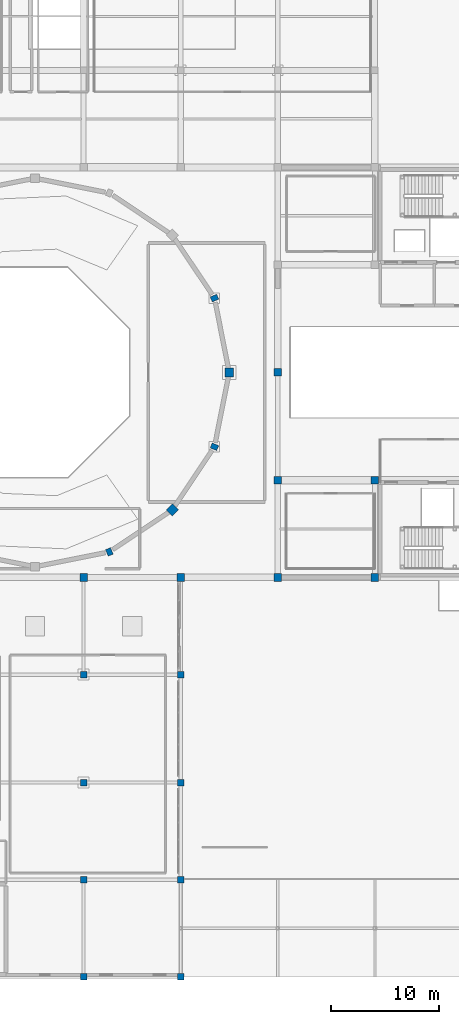
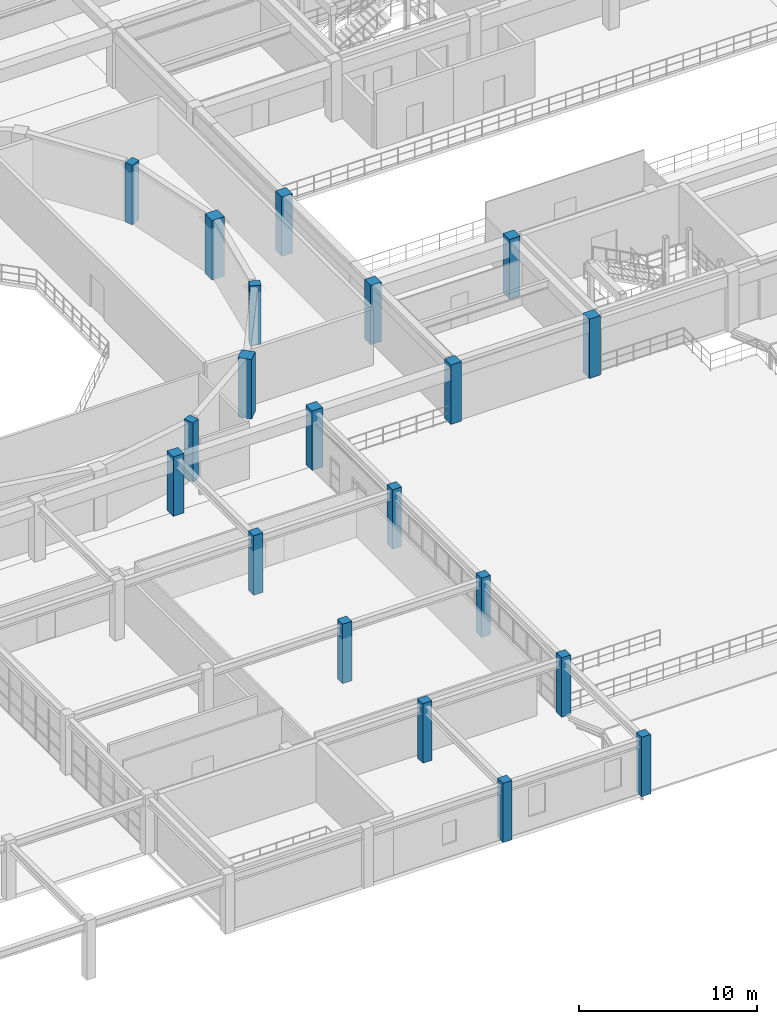
# One storey, part 3 of 110: 20 columns.
"""IFC4 building model written with IfcOpenShell, lengths in metres."""

import ifcopenshell
import ifcopenshell.guid

model = None  # the IFC model being written
_history = None  # IfcOwnerHistory: only IFC2X3 demands one
_inside = {}  # id of a spatial element -> (the spatial element, [elements in it])
_under = {}  # id of a project, library or spatial element -> (it, [spatial elements below it])
_declared = {}  # id of a project -> (the project, [libraries it declares])
_typed = {}  # id of a type object -> (the type object, [elements of that type])
_made_of = {}  # id of a material, layer set ... -> (it, [elements and type objects made of it])


def new_model(schema):
    """Start an empty IFC model of exactly this schema.

    Asked for "IFC4X3", IfcOpenShell would pick the latest addendum, in which some entities
    have other attributes; the version numbers below select the first issue.
    IFC2X3 requires an IfcOwnerHistory on every rooted entity: one is made here for all.
    """
    global model, _history
    if schema == "IFC4X3":
        model = ifcopenshell.file(schema_version=(4, 3, 0, 0))
    else:
        model = ifcopenshell.file(schema=schema)
    _inside.clear()
    _under.clear()
    _declared.clear()
    _typed.clear()
    _made_of.clear()
    _history = None
    if model.schema == "IFC2X3":
        org = make("IfcOrganization", Name="unknown")
        user = make(
            "IfcPersonAndOrganization",
            ThePerson=make("IfcPerson", FamilyName="unknown"),
            TheOrganization=org,
        )
        app = make(
            "IfcApplication",
            ApplicationDeveloper=org,
            Version="unknown",
            ApplicationFullName="unknown",
            ApplicationIdentifier="unknown",
        )
        _history = make(
            "IfcOwnerHistory",
            OwningUser=user,
            OwningApplication=app,
            ChangeAction="ADDED",
            CreationDate=0,
        )
    return model


def make(cls, **values):
    """One entity of the class cls with the attributes given. An attribute that is None is left unset."""
    return model.create_entity(
        cls, **{name: value for name, value in values.items() if value is not None}
    )


def rooted(cls, **values):
    """An entity with a GlobalId (a new one), such as an element, a storey or a relation."""
    return make(cls, GlobalId=ifcopenshell.guid.new(), OwnerHistory=_history, **values)


def si_unit(unit_type, name, prefix=None):
    """IfcSIUnit, for example si_unit("LENGTHUNIT", "METRE", prefix="MILLI")."""
    return make("IfcSIUnit", UnitType=unit_type, Prefix=prefix, Name=name)


def assignment(units):
    """IfcUnitAssignment: the units of a project."""
    return None if units is None else make("IfcUnitAssignment", Units=units)


def point(xyz):
    """IfcCartesianPoint."""
    return None if xyz is None else make("IfcCartesianPoint", Coordinates=xyz)


def direction(xyz):
    """IfcDirection."""
    return None if xyz is None else make("IfcDirection", DirectionRatios=xyz)


def frame(location, z_axis=None, x_axis=None):
    """IfcAxis2Placement3D, a coordinate frame: its origin and axes. An axis left out is left unset."""
    return make(
        "IfcAxis2Placement3D",
        Location=point(location),
        Axis=direction(z_axis),
        RefDirection=direction(x_axis),
    )


def frame_2d(location, x_axis=None):
    """IfcAxis2Placement2D, a coordinate frame in the plane: its origin and x axis."""
    return make(
        "IfcAxis2Placement2D", Location=point(location), RefDirection=direction(x_axis)
    )


def origin():
    """The frame at (0, 0, 0) with its axes left unset."""
    return frame((0.0, 0.0, 0.0))


def origin_2d():
    """The frame at (0, 0) in the plane with its x axis left unset."""
    return frame_2d((0.0, 0.0))


def place(relative_to, where):
    """IfcLocalPlacement: puts the frame where relative to a parent placement (None: the world)."""
    return make(
        "IfcLocalPlacement", PlacementRelTo=relative_to, RelativePlacement=where
    )


def context(
    kind, dimensions, precision=None, world=None, true_north=None, identifier=None
):
    """IfcGeometricRepresentationContext, for example the 3D "Model" context."""
    return make(
        "IfcGeometricRepresentationContext",
        ContextIdentifier=identifier,
        ContextType=kind,
        CoordinateSpaceDimension=dimensions,
        Precision=precision,
        WorldCoordinateSystem=world,
        TrueNorth=true_north,
    )


def subcontext(parent, identifier, kind, view, scale=None):
    """IfcGeometricRepresentationSubContext, for example "Body" below "Model"."""
    return make(
        "IfcGeometricRepresentationSubContext",
        ContextIdentifier=identifier,
        ContextType=kind,
        ParentContext=parent,
        TargetScale=scale,
        TargetView=view,
    )


def project(units=None, contexts=None):
    """IfcProject with its units and contexts."""
    return rooted(
        "IfcProject",
        Name="project",
        RepresentationContexts=contexts,
        UnitsInContext=assignment(units),
    )


def spatial(cls, under=None, at=None, **own):
    """A site, building, storey or space (cls), placed at a placement, below another one or the project."""
    s = rooted(cls, ObjectPlacement=at, **own)
    if under is not None:
        _under.setdefault(under.id(), (under, []))[1].append(s)
    return s


def profile(cls, at=None, kind="AREA", **sizes):
    """A parametric profile (cls). Its sizes go by their IFC names, for example OverallWidth=200.0."""
    return make(cls, ProfileType=kind, Position=at, **sizes)


def rectangle(**sizes):
    """IfcRectangleProfileDef."""
    return profile("IfcRectangleProfileDef", **sizes)


def extrude(swept, where, along, depth):
    """IfcExtrudedAreaSolid: the profile swept, set in the frame where, extruded along a direction by depth."""
    return make(
        "IfcExtrudedAreaSolid",
        SweptArea=swept,
        Position=where,
        ExtrudedDirection=direction(along),
        Depth=depth,
    )


def shape(context_of_items, identifier, shape_type, items):
    """IfcShapeRepresentation: the items that make up one representation, for example the "Body"."""
    return make(
        "IfcShapeRepresentation",
        ContextOfItems=context_of_items,
        RepresentationIdentifier=identifier,
        RepresentationType=shape_type,
        Items=items,
    )


def material(Name=None, Category=None):
    """IfcMaterial."""
    return make("IfcMaterial", Name=Name, Category=Category)


def material_profile(
    of_material, cross_section, Name=None, Category=None, Priority=None
):
    """IfcMaterialProfile: a cross section and its material."""
    return make(
        "IfcMaterialProfile",
        Name=Name,
        Material=of_material,
        Profile=cross_section,
        Priority=Priority,
        Category=Category,
    )


def profile_set(profiles, Name=None, composite=None):
    """IfcMaterialProfileSet."""
    return make(
        "IfcMaterialProfileSet",
        Name=Name,
        MaterialProfiles=profiles,
        CompositeProfile=composite,
    )


def made_of(thing, what):
    """Note that an element or type object is made of a material, layer set ...; save() writes the relation."""
    if what is not None:
        _made_of.setdefault(what.id(), (what, []))[1].append(thing)
    return thing


def type_object(cls, material=None, **own):
    """A type object (cls), such as IfcWallType, which elements share."""
    return made_of(rooted(cls, **own), material)


def element(
    cls,
    number,
    at=None,
    inside=None,
    cuts=None,
    type_object=None,
    material=None,
    context=None,
    identifier="Body",
    shape_type=None,
    held_by="IfcProductDefinitionShape",
    body=None,
    shapes=None,
    **own,
):
    """One element of the class cls, such as IfcWall. Its Tag is "e" and its number.

    at: its placement. inside: the storey or other place that contains it. cuts: it is an
    opening in that element (IfcRelVoidsElement). A single representation is given by context,
    identifier, shape_type and body (its items); several are given by shapes. held_by: the class
    of the entity that holds the representations. save() writes the other relations.
    """
    e = rooted(cls, Tag="e%d" % number, ObjectPlacement=at, **own)
    if body is not None:
        shapes = [shape(context, identifier, shape_type, body)]
    if shapes is not None:
        e.Representation = make(held_by, Representations=shapes)
    if inside is not None:
        _inside.setdefault(inside.id(), (inside, []))[1].append(e)
    if cuts is not None:
        rooted(
            "IfcRelVoidsElement", RelatingBuildingElement=cuts, RelatedOpeningElement=e
        )
    if type_object is not None:
        _typed.setdefault(type_object.id(), (type_object, []))[1].append(e)
    return made_of(e, material)


def aggregate(whole, parts):
    """IfcRelAggregates: a whole, such as a stair, and the parts it consists of."""
    return rooted("IfcRelAggregates", RelatingObject=whole, RelatedObjects=parts)


def save(model, path):
    """Write the relations noted so far, then the file.

    IfcRelAggregates (storeys below a building ...), IfcRelContainedInSpatialStructure (elements
    in a storey), IfcRelDefinesByType, IfcRelAssociatesMaterial and IfcRelDeclares: one each for
    every whole, place, type object, material and project.
    """
    for whole, parts in _under.values():
        aggregate(whole, parts)
    for where, things in _inside.values():
        rooted(
            "IfcRelContainedInSpatialStructure",
            RelatedElements=things,
            RelatingStructure=where,
        )
    for kind, things in _typed.values():
        rooted("IfcRelDefinesByType", RelatedObjects=things, RelatingType=kind)
    for what, things in _made_of.values():
        rooted("IfcRelAssociatesMaterial", RelatedObjects=things, RelatingMaterial=what)
    for by, libraries in _declared.values():
        rooted("IfcRelDeclares", RelatingContext=by, RelatedDefinitions=libraries)
    model.write(path)


model = new_model("IFC4")

# Units and contexts
model_context = context("Model", 3, precision=1e-05, world=origin(), true_north=direction((0.0, 1.0)))
body_context = subcontext(model_context, "Body", "Model", "MODEL_VIEW")
ifc_project = project(units=[si_unit("LENGTHUNIT", "METRE"), si_unit("AREAUNIT", "SQUARE_METRE"), si_unit("VOLUMEUNIT", "CUBIC_METRE"), si_unit("PLANEANGLEUNIT", "RADIAN"), si_unit("MASSUNIT", "GRAM", prefix="KILO")], contexts=[model_context])

# Site, building, storey
site_placement = place(None, origin())
site = spatial("IfcSite", under=ifc_project, at=site_placement, CompositionType="ELEMENT")
building_placement = place(site_placement, origin())
building = spatial("IfcBuilding", under=site, at=building_placement, Name="Miravela Opera House", CompositionType="ELEMENT")
storey_placement = place(building_placement, frame((0.0, 0.0, 13.60009765625)))
storey = spatial("IfcBuildingStorey", under=building, at=storey_placement, Name="L03", CompositionType="ELEMENT", Elevation=13.60009765625)

# Columns
ifc_material_1 = material(Name="Concrete C35/45", Category="concrete")
ifc_material_profile_1 = material_profile(ifc_material_1, rectangle(XDim=0.60009765625, YDim=0.60009765625, at=origin_2d()), Name="RC-COL-600X600")
ifc_profile_set_1 = profile_set([ifc_material_profile_1])
column_type_1 = type_object("IfcColumnType", Name="STR-COL-RC600", PredefinedType="COLUMN", material=ifc_profile_set_1)
for number, where, z_axis, x_axis, name in (
    (1, (81.0, 0.0, 0.0), (0.0, 0.0, 1.0), (1.0, 0.0, 0.0), "Column C-10A (L03)"),
    (2, (81.0, 9.0, 0.0), (0.0, 0.0, 1.0), (1.0, 0.0, 0.0), "Column C-10B (L03)"),
    (3, (81.0, 18.0, 0.0), (0.0, 0.0, 1.0), (1.0, 0.0, 0.0), "Column C-10C (L03)"),
    (4, (81.0, 28.0, 0.0), (0.0, 0.0, 1.0), (1.0, 0.0, 0.0), "Column C-10D (L03)"),
    (5, (90.0, 0.0, 0.0), (0.0, 0.0, 1.0), (1.0, 0.0, 0.0), "Column C-11A (L03)"),
    (6, (90.0, 9.0, 0.0), (0.0, 0.0, 1.0), (1.0, 0.0, 0.0), "Column C-11B (L03)"),
    (7, (90.0, 18.0, 0.0), (0.0, 0.0, 1.0), (1.0, 0.0, 0.0), "Column C-11C (L03)"),
    (8, (90.0, 28.0, 0.0), (0.0, 0.0, 1.0), (1.0, 0.0, 0.0), "Column C-11D (L03)"),
):
    element("IfcColumn", number, at=place(storey_placement, frame(where, z_axis=z_axis, x_axis=x_axis)), inside=storey, type_object=column_type_1, Name=name, PredefinedType="COLUMN", context=body_context, shape_type="SweptSolid", body=[
        extrude(rectangle(XDim=0.60009765625, YDim=0.60009765625, at=origin_2d()), origin(), (0.0, 0.0, 1.0), 4.079833984375),
    ])
ifc_material_profile_2 = material_profile(ifc_material_1, rectangle(XDim=0.699951171875, YDim=0.699951171875, at=origin_2d()), Name="RC-COL-700X700")
ifc_profile_set_2 = profile_set([ifc_material_profile_2])
column_type_2 = type_object("IfcColumnType", Name="STR-COL-RC700", PredefinedType="COLUMN", material=ifc_profile_set_2)
for number, where, z_axis, x_axis, name in (
    (9, (81.0, 37.0, 0.0), (0.0, 0.0, 1.0), (1.0, 0.0, 0.0), "Column C-10E (L03)"),
    (10, (90.0, 37.0, 0.0), (0.0, 0.0, 1.0), (1.0, 0.0, 0.0), "Column C-11E (L03)"),
    (11, (99.0, 37.0, 0.0), (0.0, 0.0, 1.0), (1.0, 0.0, 0.0), "Column C-12E (L03)"),
    (12, (99.0, 46.0, 0.0), (0.0, 0.0, 1.0), (1.0, 0.0, 0.0), "Column C-12F (L03)"),
    (13, (99.0, 56.0, 0.0), (0.0, 0.0, 1.0), (1.0, 0.0, 0.0), "Column C-12G (L03)"),
    (14, (108.0, 37.0, 0.0), (0.0, 0.0, 1.0), (1.0, 0.0, 0.0), "Column C-13E (L03)"),
    (15, (108.0, 46.0, 0.0), (0.0, 0.0, 1.0), (1.0, 0.0, 0.0), "Column C-13F (L03)"),
):
    element("IfcColumn", number, at=place(storey_placement, frame(where, z_axis=z_axis, x_axis=x_axis)), inside=storey, type_object=column_type_2, Name=name, PredefinedType="COLUMN", context=body_context, shape_type="SweptSolid", body=[
        extrude(rectangle(XDim=0.699951171875, YDim=0.699951171875, at=origin_2d()), origin(), (0.0, 0.0, 1.0), 4.079833984375),
    ])
ifc_material_profile_3 = material_profile(ifc_material_1, rectangle(XDim=0.64990234375, YDim=0.5, at=origin_2d()), Name="RC-PIL-650X500")
ifc_profile_set_3 = profile_set([ifc_material_profile_3])
column_type_3 = type_object("IfcColumnType", Name="STR-PIL-RC650X500", PredefinedType="PILASTER", material=ifc_profile_set_3)
for number, where, z_axis, x_axis, name in (
    (16, (93.1298828125, 62.88818359375, 0.0), (0.0, 0.0, 1.0), (0.923879532511, 0.382683432365, 0.0), "Auditorium Drum Column DC-02 (L03)"),
    (17, (83.38818359375, 39.3701171875, 0.0), (0.0, 0.0, 1.0), (0.382683432365, -0.923879532511, 0.0), "Auditorium Drum Column DC-14 (L03)"),
    (18, (93.1298828125, 49.11181640625, 0.0), (0.0, 0.0, 1.0), (0.923879532511, -0.382683432365, 0.0), "Auditorium Drum Column DC-16 (L03)"),
):
    element("IfcColumn", number, at=place(storey_placement, frame(where, z_axis=z_axis, x_axis=x_axis)), inside=storey, type_object=column_type_3, Name=name, PredefinedType="PILASTER", context=body_context, shape_type="SweptSolid", body=[
        extrude(rectangle(XDim=0.64990234375, YDim=0.5, at=origin_2d()), origin(), (0.0, 0.0, 1.0), 4.079833984375),
    ])
ifc_material_2 = material(Name="Concrete C40/50", Category="concrete")
ifc_material_profile_4 = material_profile(ifc_material_2, rectangle(XDim=0.800048828125, YDim=0.800048828125, at=origin_2d()), Name="RC-COL-800X800")
ifc_profile_set_4 = profile_set([ifc_material_profile_4])
column_type_4 = type_object("IfcColumnType", Name="STR-PIL-RC800", PredefinedType="PILASTER", material=ifc_profile_set_4)
for number, where, z_axis, x_axis, name in (
    (19, (94.5, 56.0, 0.0), (0.0, 0.0, 1.0), (1.0, 0.0, 0.0), "Auditorium Drum Column DC-01 (L03)"),
    (20, (89.227783203125, 43.272216796875, 0.0), (0.0, 0.0, 1.0), (0.707106781187, -0.707106781187, 0.0), "Auditorium Drum Column DC-15 (L03)"),
):
    element("IfcColumn", number, at=place(storey_placement, frame(where, z_axis=z_axis, x_axis=x_axis)), inside=storey, type_object=column_type_4, Name=name, PredefinedType="PILASTER", context=body_context, shape_type="SweptSolid", body=[
        extrude(rectangle(XDim=0.800048828125, YDim=0.800048828125, at=origin_2d()), origin(), (0.0, 0.0, 1.0), 4.079833984375),
    ])

save(model, "model.ifc")
